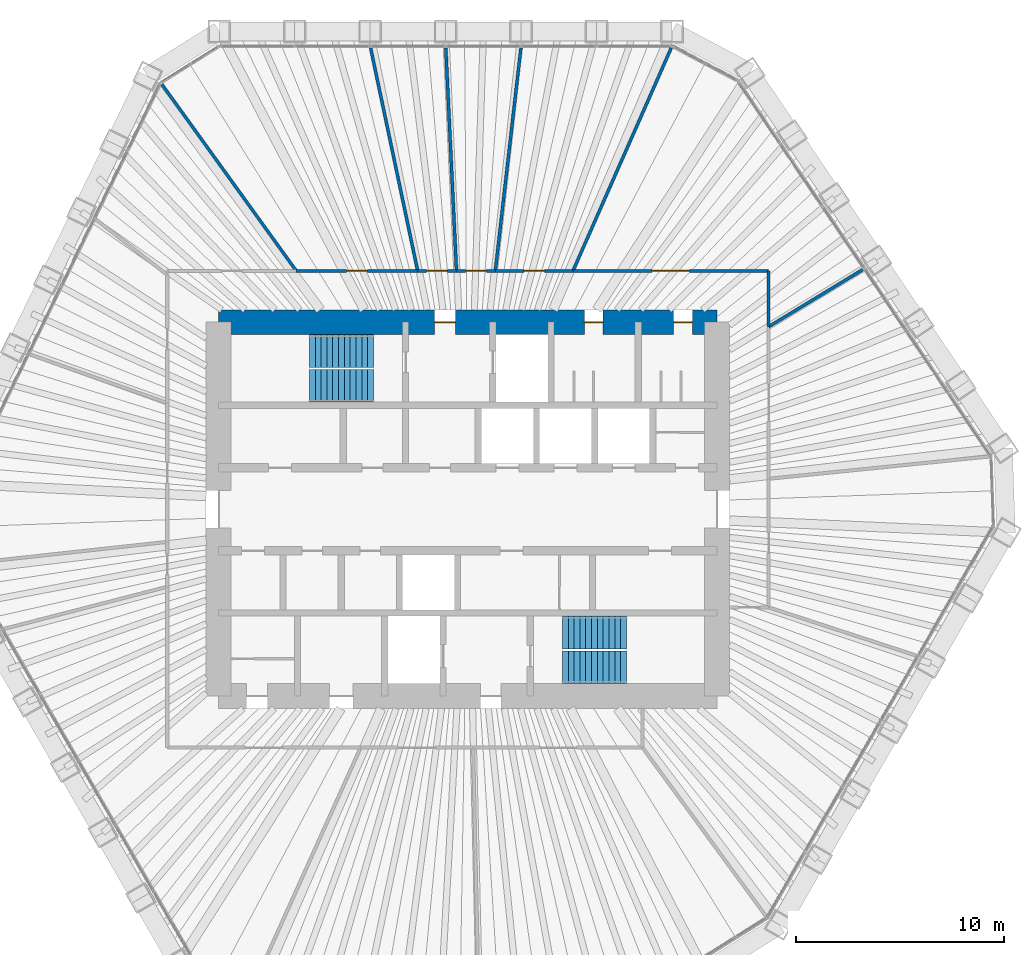
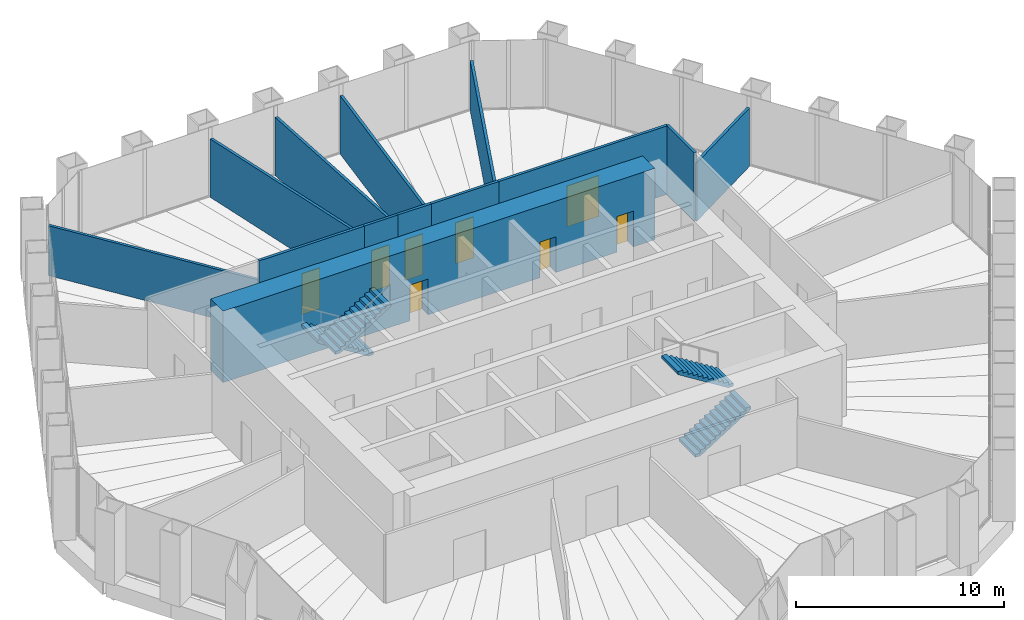
# One storey, part 13 of 14: 13 walls, 8 doors, 4 stair flights, 8 openings, 2 elements without a shape of their own.
"""IFC4 building model written with IfcOpenShell, lengths in metres."""

from ifc_helpers import new_model, si_unit, direction, frame, frame_2d, origin, place, context, subcontext, project, spatial, polyline, rectangle, outline, extrude, material, layer, layer_set, type_object, element, fill, aggregate, save


model = new_model("IFC4")

# Units and contexts
model_context = context("Model", 3, precision=1e-05, world=origin(), true_north=direction((0.0, 1.0)))
body_context = subcontext(model_context, "Body", "Model", "MODEL_VIEW")
ifc_project = project(units=[si_unit("LENGTHUNIT", "METRE"), si_unit("AREAUNIT", "SQUARE_METRE"), si_unit("VOLUMEUNIT", "CUBIC_METRE"), si_unit("PLANEANGLEUNIT", "RADIAN"), si_unit("MASSUNIT", "GRAM", prefix="KILO")], contexts=[model_context])

# Site, building, storey
site_placement = place(None, origin())
site = spatial("IfcSite", under=ifc_project, at=site_placement, CompositionType="ELEMENT")
building_placement = place(site_placement, origin())
building = spatial("IfcBuilding", under=site, at=building_placement, Name="Qingtian Harvest Tower", CompositionType="ELEMENT")
storey_placement = place(building_placement, frame((0.0, 0.0, 197.199951171875)))
storey = spatial("IfcBuildingStorey", under=building, at=storey_placement, Name="L42", CompositionType="ELEMENT", Elevation=197.199951171875)

# Wall, openings, doors
ifc_material_1 = material(Name="Concrete fc' 70 MPa", Category="concrete")
ifc_layer_1 = layer(ifc_material_1, 1.199951171875)
ifc_layer_set_1 = layer_set([ifc_layer_1], Name="Core wall RC2 1200")
wall_type_1 = type_object("IfcWallType", Name="Core wall RC2 1200", PredefinedType="SHEAR", material=ifc_layer_set_1)
wall_1_placement = place(storey_placement, frame((-12.0, 9.0, 0.0), z_axis=(0.0, 0.0, 1.0), x_axis=(1.0, 0.0, 0.0)))
wall_1 = element("IfcWall", 1, at=wall_1_placement, inside=storey, type_object=wall_type_1, Name="Core wall CN L42", PredefinedType="SHEAR", context=body_context, shape_type="SweptSolid", body=[
    extrude(rectangle(XDim=24.0, YDim=1.199951171875, at=frame_2d((12.0, 0.0))), origin(), (0.0, 0.0, 1.0), 4.199951171875),
])
opening_1_placement = place(wall_1_placement, frame((10.39990234375, 0.0, 0.0)))
opening_1 = element("IfcOpeningElement", 2, at=opening_1_placement, cuts=wall_1, Name="Opening FD1", PredefinedType="OPENING", context=body_context, shape_type="SweptSolid", body=[
    extrude(rectangle(XDim=1.0, YDim=2.10009765625, at=frame_2d((0.5, 1.050048828125))), frame((0.0, 0.60986328125, 0.0), z_axis=(0.0, -1.0, 0.0), x_axis=(1.0, 0.0, 0.0)), (0.0, 0.0, 1.0), 1.219970703125),
])
opening_2_placement = place(wall_1_placement, frame((17.60009765625, 0.0, 0.0)))
opening_2 = element("IfcOpeningElement", 3, at=opening_2_placement, cuts=wall_1, Name="Opening D1", PredefinedType="OPENING", context=body_context, shape_type="SweptSolid", body=[
    extrude(rectangle(XDim=0.89990234375, YDim=2.10009765625, at=frame_2d((0.449951171875, 1.050048828125))), frame((0.0, 0.60986328125, 0.0), z_axis=(0.0, -1.0, 0.0), x_axis=(1.0, 0.0, 0.0)), (0.0, 0.0, 1.0), 1.219970703125),
])
opening_3_placement = place(wall_1_placement, frame((21.89990234375, 0.0, 0.0)))
opening_3 = element("IfcOpeningElement", 4, at=opening_3_placement, cuts=wall_1, Name="Opening D1", PredefinedType="OPENING", context=body_context, shape_type="SweptSolid", body=[
    extrude(rectangle(XDim=0.89990234375, YDim=2.10009765625, at=frame_2d((0.449951171875, 1.050048828125))), frame((0.0, 0.60986328125, 0.0), z_axis=(0.0, -1.0, 0.0), x_axis=(1.0, 0.0, 0.0)), (0.0, 0.0, 1.0), 1.219970703125),
])
ifc_material_2 = material(Name="Steel-faced door leaf", Category="steel")
door_type_1 = type_object("IfcDoorType", Name="Fire door FD1 single 1 HR", OperationType="SINGLE_SWING_LEFT", PredefinedType="DOOR", material=ifc_material_2)
door_1_placement = place(opening_1_placement, origin())
door_1 = element("IfcDoor", 5, at=door_1_placement, inside=storey, type_object=door_type_1, Name="V1 door L42", OperationType="SINGLE_SWING_LEFT", OverallHeight=2.10009765625, OverallWidth=1.0, PredefinedType="DOOR", context=body_context, shape_type="SweptSolid", body=[
    extrude(rectangle(XDim=1.0, YDim=2.10009765625, at=frame_2d((0.5, 1.050048828125))), frame((0.0, 0.02490234375, 0.0), z_axis=(0.0, -1.0, 0.0), x_axis=(1.0, 0.0, 0.0)), (0.0, 0.0, 1.0), 0.050048828125),
])
fill(opening_1, door_1)
ifc_material_3 = material(Name="Laminated timber door leaf", Category="wood")
door_type_2 = type_object("IfcDoorType", Name="Toilet door D1 single", OperationType="SINGLE_SWING_LEFT", PredefinedType="DOOR", material=ifc_material_3)
door_2_placement = place(opening_2_placement, origin())
door_2 = element("IfcDoor", 6, at=door_2_placement, inside=storey, type_object=door_type_2, Name="WCM door L42", OperationType="SINGLE_SWING_LEFT", OverallHeight=2.10009765625, OverallWidth=0.89990234375, PredefinedType="DOOR", context=body_context, shape_type="SweptSolid", body=[
    extrude(rectangle(XDim=0.89990234375, YDim=2.10009765625, at=frame_2d((0.449951171875, 1.050048828125))), frame((0.0, 0.02490234375, 0.0), z_axis=(0.0, -1.0, 0.0), x_axis=(1.0, 0.0, 0.0)), (0.0, 0.0, 1.0), 0.050048828125),
])
fill(opening_2, door_2)
door_3_placement = place(opening_3_placement, origin())
door_3 = element("IfcDoor", 7, at=door_3_placement, inside=storey, type_object=door_type_2, Name="WCF door L42", OperationType="SINGLE_SWING_LEFT", OverallHeight=2.10009765625, OverallWidth=0.89990234375, PredefinedType="DOOR", context=body_context, shape_type="SweptSolid", body=[
    extrude(rectangle(XDim=0.89990234375, YDim=2.10009765625, at=frame_2d((0.449951171875, 1.050048828125))), frame((0.0, 0.02490234375, 0.0), z_axis=(0.0, -1.0, 0.0), x_axis=(1.0, 0.0, 0.0)), (0.0, 0.0, 1.0), 0.050048828125),
])
fill(opening_3, door_3)

# Wall
ifc_material_4 = material(Name="Gypsum board on steel studs", Category="steel")
ifc_layer_2 = layer(ifc_material_4, 0.14990234375)
ifc_layer_set_2 = layer_set([ifc_layer_2], Name="Partition PT1 150")
wall_type_2 = type_object("IfcWallType", Name="Partition PT1 150", PredefinedType="PARTITIONING", material=ifc_layer_set_2)
wall_2_placement = place(storey_placement, frame((9.7890625, 22.20849609375, 0.0), z_axis=(0.0, 0.0, 1.0), x_axis=(-0.403346052835, -0.9150475188, 0.0)))
element("IfcWall", 8, at=wall_2_placement, inside=storey, type_object=wall_type_2, Name="Office suite wall L42", PredefinedType="PARTITIONING", context=body_context, shape_type="SweptSolid", body=[
    extrude(rectangle(XDim=11.72998046875, YDim=0.14990234375, at=frame_2d((5.864990234375, 0.0))), origin(), (0.0, 0.0, 1.0), 2.929931640625),
])

# Wall, opening, door
wall_3_placement = place(storey_placement, frame((5.057861328125, 11.47509765625, 0.0), z_axis=(0.0, 0.0, 1.0), x_axis=(1.0, 0.0, 0.0)))
wall_3 = element("IfcWall", 9, at=wall_3_placement, inside=storey, type_object=wall_type_2, Name="Office suite wall L42", PredefinedType="PARTITIONING", context=body_context, shape_type="SweptSolid", body=[
    extrude(rectangle(XDim=9.417236328125, YDim=0.14990234375, at=frame_2d((4.70849609375, 0.0))), origin(), (0.0, 0.0, 1.0), 4.030029296875),
])
opening_4_placement = place(wall_3_placement, frame((3.80859375, 0.0, 0.0)))
opening_4 = element("IfcOpeningElement", 10, at=opening_4_placement, cuts=wall_3, Name="Opening D3", PredefinedType="OPENING", context=body_context, shape_type="SweptSolid", body=[
    extrude(rectangle(XDim=1.800048828125, YDim=2.39990234375, at=frame_2d((0.89990234375, 1.199951171875))), frame((0.0, 0.0849609375, 0.0), z_axis=(0.0, -1.0, 0.0), x_axis=(1.0, 0.0, 0.0)), (0.0, 0.0, 1.0), 0.169921875),
])
ifc_material_5 = material(Name="Laminated timber door leaf", Category="wood")
door_type_3 = type_object("IfcDoorType", Name="Room door D3 double", OperationType="DOUBLE_DOOR_DOUBLE_SWING", PredefinedType="DOOR", material=ifc_material_5)
door_4_placement = place(opening_4_placement, origin())
door_4 = element("IfcDoor", 11, at=door_4_placement, inside=storey, type_object=door_type_3, Name="Office suite door L42", OperationType="DOUBLE_DOOR_DOUBLE_SWING", OverallHeight=2.39990234375, OverallWidth=1.800048828125, PredefinedType="DOOR", context=body_context, shape_type="SweptSolid", body=[
    extrude(rectangle(XDim=1.800048828125, YDim=2.39990234375, at=frame_2d((0.89990234375, 1.199951171875))), frame((0.0, 0.02490234375, 0.0), z_axis=(0.0, -1.0, 0.0), x_axis=(1.0, 0.0, 0.0)), (0.0, 0.0, 1.0), 0.050048828125),
])
fill(opening_4, door_4)

# Walls
wall_4_placement = place(storey_placement, frame((14.47509765625, 11.47509765625, 0.0), z_axis=(0.0, 0.0, 1.0), x_axis=(0.0, -1.0, 0.0)))
element("IfcWall", 12, at=wall_4_placement, inside=storey, type_object=wall_type_2, Name="Office suite wall L42", PredefinedType="PARTITIONING", context=body_context, shape_type="SweptSolid", body=[
    extrude(rectangle(XDim=2.691650390625, YDim=0.14990234375, at=frame_2d((1.345703125, 0.0))), origin(), (0.0, 0.0, 1.0), 4.030029296875),
])
wall_5_placement = place(storey_placement, frame((19.001220703125, 11.530029296875, 0.0), z_axis=(0.0, 0.0, 1.0), x_axis=(-0.854906581035, -0.518781975114, 0.0)))
element("IfcWall", 13, at=wall_5_placement, inside=storey, type_object=wall_type_2, Name="Office suite wall L42", PredefinedType="PARTITIONING", context=body_context, shape_type="SweptSolid", body=[
    extrude(rectangle(XDim=5.294189453125, YDim=0.14990234375, at=frame_2d((2.64697265625, 0.0))), origin(), (0.0, 0.0, 1.0), 3.429931640625),
])
wall_6_placement = place(storey_placement, frame((-14.736572265625, 20.454833984375, 0.0), z_axis=(0.0, 0.0, 1.0), x_axis=(0.584547025688, -0.811359830629, 0.0)))
element("IfcWall", 14, at=wall_6_placement, inside=storey, type_object=wall_type_2, Name="Meeting room wall L42", PredefinedType="PARTITIONING", context=body_context, shape_type="SweptSolid", body=[
    extrude(rectangle(XDim=11.067626953125, YDim=0.14990234375, at=frame_2d((5.53369140625, 0.0))), origin(), (0.0, 0.0, 1.0), 2.929931640625),
])

# Wall, opening, door
wall_7_placement = place(storey_placement, frame((-8.26708984375, 11.47509765625, 0.0), z_axis=(0.0, 0.0, 1.0), x_axis=(1.0, 0.0, 0.0)))
wall_7 = element("IfcWall", 15, at=wall_7_placement, inside=storey, type_object=wall_type_2, Name="Meeting room wall L42", PredefinedType="PARTITIONING", context=body_context, shape_type="SweptSolid", body=[
    extrude(rectangle(XDim=5.84619140625, YDim=0.14990234375, at=frame_2d((2.923095703125, 0.0))), origin(), (0.0, 0.0, 1.0), 4.030029296875),
])
opening_5_placement = place(wall_7_placement, frame((2.423095703125, 0.0, 0.0)))
opening_5 = element("IfcOpeningElement", 16, at=opening_5_placement, cuts=wall_7, Name="Opening D2", PredefinedType="OPENING", context=body_context, shape_type="SweptSolid", body=[
    extrude(rectangle(XDim=1.0, YDim=2.39990234375, at=frame_2d((0.5, 1.199951171875))), frame((0.0, 0.0849609375, 0.0), z_axis=(0.0, -1.0, 0.0), x_axis=(1.0, 0.0, 0.0)), (0.0, 0.0, 1.0), 0.169921875),
])
ifc_material_6 = material(Name="Laminated timber door leaf", Category="wood")
door_type_4 = type_object("IfcDoorType", Name="Room door D2 single", OperationType="SINGLE_SWING_LEFT", PredefinedType="DOOR", material=ifc_material_6)
door_5_placement = place(opening_5_placement, origin())
door_5 = element("IfcDoor", 17, at=door_5_placement, inside=storey, type_object=door_type_4, Name="Meeting room door L42", OperationType="SINGLE_SWING_RIGHT", OverallHeight=2.39990234375, OverallWidth=1.0, PredefinedType="DOOR", context=body_context, shape_type="SweptSolid", body=[
    extrude(rectangle(XDim=1.0, YDim=2.39990234375, at=frame_2d((0.5, 1.199951171875))), frame((0.0, 0.02490234375, 0.0), z_axis=(0.0, -1.0, 0.0), x_axis=(1.0, 0.0, 0.0)), (0.0, 0.0, 1.0), 0.050048828125),
])
fill(opening_5, door_5)

# Wall
wall_8_placement = place(storey_placement, frame((-4.684326171875, 22.2021484375, 0.0), z_axis=(0.0, 0.0, 1.0), x_axis=(0.206456017157, -0.978455881979, 0.0)))
element("IfcWall", 18, at=wall_8_placement, inside=storey, type_object=wall_type_2, Name="Print room wall L42", PredefinedType="PARTITIONING", context=body_context, shape_type="SweptSolid", body=[
    extrude(rectangle(XDim=10.963134765625, YDim=0.14990234375, at=frame_2d((5.4814453125, 0.0))), origin(), (0.0, 0.0, 1.0), 3.429931640625),
])

# Wall, opening, door
wall_9_placement = place(storey_placement, frame((-2.4208984375, 11.47509765625, 0.0), z_axis=(0.0, 0.0, 1.0), x_axis=(1.0, 0.0, 0.0)))
wall_9 = element("IfcWall", 19, at=wall_9_placement, inside=storey, type_object=wall_type_2, Name="Print room wall L42", PredefinedType="PARTITIONING", context=body_context, shape_type="SweptSolid", body=[
    extrude(rectangle(XDim=1.86962890625, YDim=0.14990234375, at=frame_2d((0.934814453125, 0.0))), origin(), (0.0, 0.0, 1.0), 4.030029296875),
])
opening_6_placement = place(wall_9_placement, frame((0.434814453125, 0.0, 0.0)))
opening_6 = element("IfcOpeningElement", 20, at=opening_6_placement, cuts=wall_9, Name="Opening D2", PredefinedType="OPENING", context=body_context, shape_type="SweptSolid", body=[
    extrude(rectangle(XDim=1.0, YDim=2.39990234375, at=frame_2d((0.5, 1.199951171875))), frame((0.0, 0.0849609375, 0.0), z_axis=(0.0, -1.0, 0.0), x_axis=(1.0, 0.0, 0.0)), (0.0, 0.0, 1.0), 0.169921875),
])
door_6_placement = place(opening_6_placement, origin())
door_6 = element("IfcDoor", 21, at=door_6_placement, inside=storey, type_object=door_type_4, Name="Print room door L42", OperationType="SINGLE_SWING_RIGHT", OverallHeight=2.39990234375, OverallWidth=1.0, PredefinedType="DOOR", context=body_context, shape_type="SweptSolid", body=[
    extrude(rectangle(XDim=1.0, YDim=2.39990234375, at=frame_2d((0.5, 1.199951171875))), frame((0.0, 0.02490234375, 0.0), z_axis=(0.0, -1.0, 0.0), x_axis=(1.0, 0.0, 0.0)), (0.0, 0.0, 1.0), 0.050048828125),
])
fill(opening_6, door_6)

# Wall
wall_10_placement = place(storey_placement, frame((-1.066650390625, 22.2001953125, 0.0), z_axis=(0.0, 0.0, 1.0), x_axis=(0.047998335863, -0.998847415652, 0.0)))
element("IfcWall", 22, at=wall_10_placement, inside=storey, type_object=wall_type_2, Name="Store room wall L42", PredefinedType="PARTITIONING", context=body_context, shape_type="SweptSolid", body=[
    extrude(rectangle(XDim=10.737548828125, YDim=0.14990234375, at=frame_2d((5.36865234375, 0.0))), origin(), (0.0, 0.0, 1.0), 3.429931640625),
])

# Wall, opening, door
wall_11_placement = place(storey_placement, frame((-0.55126953125, 11.47509765625, 0.0), z_axis=(0.0, 0.0, 1.0), x_axis=(1.0, 0.0, 0.0)))
wall_11 = element("IfcWall", 23, at=wall_11_placement, inside=storey, type_object=wall_type_2, Name="Store room wall L42", PredefinedType="PARTITIONING", context=body_context, shape_type="SweptSolid", body=[
    extrude(rectangle(XDim=1.86962890625, YDim=0.14990234375, at=frame_2d((0.934814453125, 0.0))), origin(), (0.0, 0.0, 1.0), 4.030029296875),
])
opening_7_placement = place(wall_11_placement, frame((0.434814453125, 0.0, 0.0)))
opening_7 = element("IfcOpeningElement", 24, at=opening_7_placement, cuts=wall_11, Name="Opening D2", PredefinedType="OPENING", context=body_context, shape_type="SweptSolid", body=[
    extrude(rectangle(XDim=1.0, YDim=2.39990234375, at=frame_2d((0.5, 1.199951171875))), frame((0.0, 0.0849609375, 0.0), z_axis=(0.0, -1.0, 0.0), x_axis=(1.0, 0.0, 0.0)), (0.0, 0.0, 1.0), 0.169921875),
])
door_7_placement = place(opening_7_placement, origin())
door_7 = element("IfcDoor", 25, at=door_7_placement, inside=storey, type_object=door_type_4, Name="Store room door L42", OperationType="SINGLE_SWING_RIGHT", OverallHeight=2.39990234375, OverallWidth=1.0, PredefinedType="DOOR", context=body_context, shape_type="SweptSolid", body=[
    extrude(rectangle(XDim=1.0, YDim=2.39990234375, at=frame_2d((0.5, 1.199951171875))), frame((0.0, 0.02490234375, 0.0), z_axis=(0.0, -1.0, 0.0), x_axis=(1.0, 0.0, 0.0)), (0.0, 0.0, 1.0), 0.050048828125),
])
fill(opening_7, door_7)

# Wall
wall_12_placement = place(storey_placement, frame((2.55078125, 22.20068359375, 0.0), z_axis=(0.0, 0.0, 1.0), x_axis=(-0.11415373111, -0.993463097288, 0.0)))
element("IfcWall", 26, at=wall_12_placement, inside=storey, type_object=wall_type_2, Name="Office suite wall L42", PredefinedType="PARTITIONING", context=body_context, shape_type="SweptSolid", body=[
    extrude(rectangle(XDim=10.796142578125, YDim=0.14990234375, at=frame_2d((5.39794921875, 0.0))), origin(), (0.0, 0.0, 1.0), 3.429931640625),
])

# Wall, opening, door
wall_13_placement = place(storey_placement, frame((1.318359375, 11.47509765625, 0.0), z_axis=(0.0, 0.0, 1.0), x_axis=(1.0, 0.0, 0.0)))
wall_13 = element("IfcWall", 27, at=wall_13_placement, inside=storey, type_object=wall_type_2, Name="Office suite wall L42", PredefinedType="PARTITIONING", context=body_context, shape_type="SweptSolid", body=[
    extrude(rectangle(XDim=3.739501953125, YDim=0.14990234375, at=frame_2d((1.86962890625, 0.0))), origin(), (0.0, 0.0, 1.0), 4.030029296875),
])
opening_8_placement = place(wall_13_placement, frame((1.36962890625, 0.0, 0.0)))
opening_8 = element("IfcOpeningElement", 28, at=opening_8_placement, cuts=wall_13, Name="Opening D2", PredefinedType="OPENING", context=body_context, shape_type="SweptSolid", body=[
    extrude(rectangle(XDim=1.0, YDim=2.39990234375, at=frame_2d((0.5, 1.199951171875))), frame((0.0, 0.0849609375, 0.0), z_axis=(0.0, -1.0, 0.0), x_axis=(1.0, 0.0, 0.0)), (0.0, 0.0, 1.0), 0.169921875),
])
door_8_placement = place(opening_8_placement, origin())
door_8 = element("IfcDoor", 29, at=door_8_placement, inside=storey, type_object=door_type_4, Name="Office suite door L42", OperationType="SINGLE_SWING_RIGHT", OverallHeight=2.39990234375, OverallWidth=1.0, PredefinedType="DOOR", context=body_context, shape_type="SweptSolid", body=[
    extrude(rectangle(XDim=1.0, YDim=2.39990234375, at=frame_2d((0.5, 1.199951171875))), frame((0.0, 0.02490234375, 0.0), z_axis=(0.0, -1.0, 0.0), x_axis=(1.0, 0.0, 0.0)), (0.0, 0.0, 1.0), 0.050048828125),
])
fill(opening_8, door_8)

# Stair, stair flights
ifc_material_7 = material(Name="Concrete fc' 35 MPa", Category="concrete")
stair_type = type_object("IfcStairType", Name="Special stair ST4 4200", PredefinedType="HALF_TURN_STAIR", material=ifc_material_7)
stair_1_placement = place(storey_placement, origin())
stair_1 = element("IfcStair", 30, at=stair_1_placement, inside=storey, type_object=stair_type, Name="Special stair S1 L42", PredefinedType="HALF_TURN_STAIR")
ifc_material_8 = material(Name="Concrete fc' 35 MPa", Category="concrete")
stair_flight_type = type_object("IfcStairFlightType", Name="Stair flight SF4 4200", PredefinedType="STRAIGHT", material=ifc_material_8)
stair_flight_1_placement = place(storey_placement, frame((-4.550048828125, 7.612548828125, 0.0), z_axis=(0.0, 0.0, 1.0), x_axis=(-1.0, 0.0, 0.0)))
stair_flight_1 = element("IfcStairFlight", 31, at=stair_flight_1_placement, type_object=stair_flight_type, Name="S1 flight 1", NumberOfRisers=12, NumberOfTreads=11, PredefinedType="STRAIGHT", RiserHeight=0.175, TreadLength=0.28, context=body_context, shape_type="SweptSolid", body=[
    extrude(outline(polyline([(0.0, 0.0), (0.0, 0.175048828125), (0.280029296875, 0.175048828125), (0.280029296875, 0.35009765625), (0.56005859375, 0.35009765625), (0.56005859375, 0.52490234375), (0.840087890625, 0.52490234375), (0.840087890625, 0.699951171875), (1.1201171875, 0.699951171875), (1.1201171875, 0.875), (1.39990234375, 0.875), (1.39990234375, 1.050048828125), (1.679931640625, 1.050048828125), (1.679931640625, 1.22509765625), (1.9599609375, 1.22509765625), (1.9599609375, 1.39990234375), (2.239990234375, 1.39990234375), (2.239990234375, 1.574951171875), (2.52001953125, 1.574951171875), (2.52001953125, 1.75), (2.800048828125, 1.75), (2.800048828125, 1.925048828125), (3.080078125, 1.925048828125), (3.080078125, 2.10009765625), (3.080078125, 1.748291015625), (0.28271484375, 0.0), (0.0, 0.0)])), frame((0.0, 0.78759765625, 0.0), z_axis=(0.0, -1.0, 0.0), x_axis=(1.0, 0.0, 0.0)), (0.0, 0.0, 1.0), 1.574951171875),
])
stair_flight_2_placement = place(storey_placement, frame((-7.6298828125, 5.9375, 2.10009765625), z_axis=(0.0, 0.0, 1.0), x_axis=(1.0, 0.0, 0.0)))
stair_flight_2 = element("IfcStairFlight", 32, at=stair_flight_2_placement, type_object=stair_flight_type, Name="S1 flight 2", NumberOfRisers=12, NumberOfTreads=11, PredefinedType="STRAIGHT", RiserHeight=0.175, TreadLength=0.28, context=body_context, shape_type="SweptSolid", body=[
    extrude(outline(polyline([(0.0, 0.0), (0.0, 0.175048828125), (0.280029296875, 0.175048828125), (0.280029296875, 0.35009765625), (0.56005859375, 0.35009765625), (0.56005859375, 0.52490234375), (0.840087890625, 0.52490234375), (0.840087890625, 0.699951171875), (1.1201171875, 0.699951171875), (1.1201171875, 0.875), (1.39990234375, 0.875), (1.39990234375, 1.050048828125), (1.679931640625, 1.050048828125), (1.679931640625, 1.22509765625), (1.9599609375, 1.22509765625), (1.9599609375, 1.39990234375), (2.239990234375, 1.39990234375), (2.239990234375, 1.574951171875), (2.52001953125, 1.574951171875), (2.52001953125, 1.75), (2.800048828125, 1.75), (2.800048828125, 1.925048828125), (3.080078125, 1.925048828125), (3.080078125, 2.10009765625), (3.080078125, 1.748291015625), (0.28271484375, 0.0), (0.0, 0.0)])), frame((0.0, 0.78759765625, 0.0), z_axis=(0.0, -1.0, 0.0), x_axis=(1.0, 0.0, 0.0)), (0.0, 0.0, 1.0), 1.574951171875),
])
aggregate(stair_1, [stair_flight_1, stair_flight_2])

stair_2_placement = place(storey_placement, origin())
stair_2 = element("IfcStair", 33, at=stair_2_placement, inside=storey, type_object=stair_type, Name="Special stair S2 L42", PredefinedType="HALF_TURN_STAIR")
stair_flight_3_placement = place(storey_placement, frame((4.550048828125, -7.612548828125, 0.0), z_axis=(0.0, 0.0, 1.0), x_axis=(1.0, 0.0, 0.0)))
stair_flight_3 = element("IfcStairFlight", 34, at=stair_flight_3_placement, type_object=stair_flight_type, Name="S2 flight 1", NumberOfRisers=12, NumberOfTreads=11, PredefinedType="STRAIGHT", RiserHeight=0.175, TreadLength=0.28, context=body_context, shape_type="SweptSolid", body=[
    extrude(outline(polyline([(0.0, 0.0), (0.0, 0.175048828125), (0.280029296875, 0.175048828125), (0.280029296875, 0.35009765625), (0.56005859375, 0.35009765625), (0.56005859375, 0.52490234375), (0.840087890625, 0.52490234375), (0.840087890625, 0.699951171875), (1.1201171875, 0.699951171875), (1.1201171875, 0.875), (1.39990234375, 0.875), (1.39990234375, 1.050048828125), (1.679931640625, 1.050048828125), (1.679931640625, 1.22509765625), (1.9599609375, 1.22509765625), (1.9599609375, 1.39990234375), (2.239990234375, 1.39990234375), (2.239990234375, 1.574951171875), (2.52001953125, 1.574951171875), (2.52001953125, 1.75), (2.800048828125, 1.75), (2.800048828125, 1.925048828125), (3.080078125, 1.925048828125), (3.080078125, 2.10009765625), (3.080078125, 1.748291015625), (0.28271484375, 0.0), (0.0, 0.0)])), frame((0.0, 0.78759765625, 0.0), z_axis=(0.0, -1.0, 0.0), x_axis=(1.0, 0.0, 0.0)), (0.0, 0.0, 1.0), 1.574951171875),
])
stair_flight_4_placement = place(storey_placement, frame((7.6298828125, -5.9375, 2.10009765625), z_axis=(0.0, 0.0, 1.0), x_axis=(-1.0, 0.0, 0.0)))
stair_flight_4 = element("IfcStairFlight", 35, at=stair_flight_4_placement, type_object=stair_flight_type, Name="S2 flight 2", NumberOfRisers=12, NumberOfTreads=11, PredefinedType="STRAIGHT", RiserHeight=0.175, TreadLength=0.28, context=body_context, shape_type="SweptSolid", body=[
    extrude(outline(polyline([(0.0, 0.0), (0.0, 0.175048828125), (0.280029296875, 0.175048828125), (0.280029296875, 0.35009765625), (0.56005859375, 0.35009765625), (0.56005859375, 0.52490234375), (0.840087890625, 0.52490234375), (0.840087890625, 0.699951171875), (1.1201171875, 0.699951171875), (1.1201171875, 0.875), (1.39990234375, 0.875), (1.39990234375, 1.050048828125), (1.679931640625, 1.050048828125), (1.679931640625, 1.22509765625), (1.9599609375, 1.22509765625), (1.9599609375, 1.39990234375), (2.239990234375, 1.39990234375), (2.239990234375, 1.574951171875), (2.52001953125, 1.574951171875), (2.52001953125, 1.75), (2.800048828125, 1.75), (2.800048828125, 1.925048828125), (3.080078125, 1.925048828125), (3.080078125, 2.10009765625), (3.080078125, 1.748291015625), (0.28271484375, 0.0), (0.0, 0.0)])), frame((0.0, 0.78759765625, 0.0), z_axis=(0.0, -1.0, 0.0), x_axis=(1.0, 0.0, 0.0)), (0.0, 0.0, 1.0), 1.574951171875),
])
aggregate(stair_2, [stair_flight_3, stair_flight_4])

save(model, "model.ifc")
